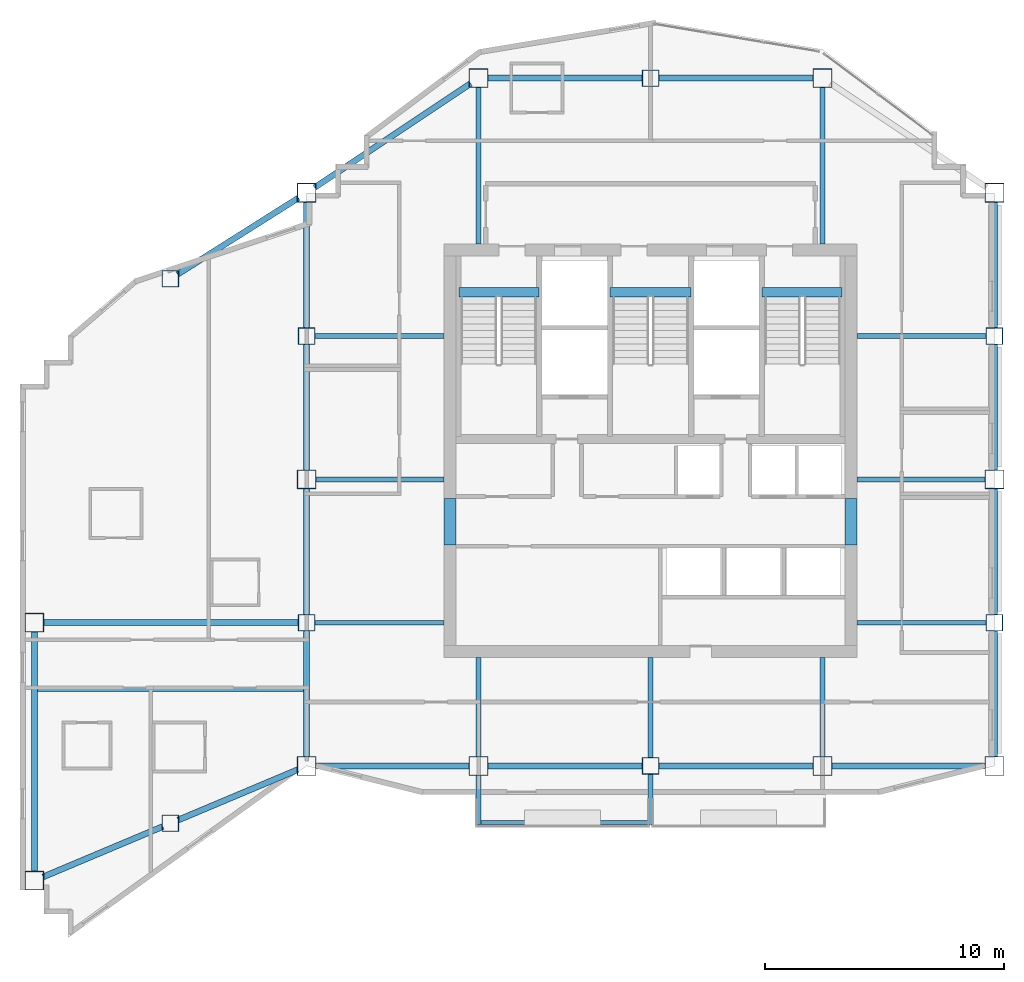
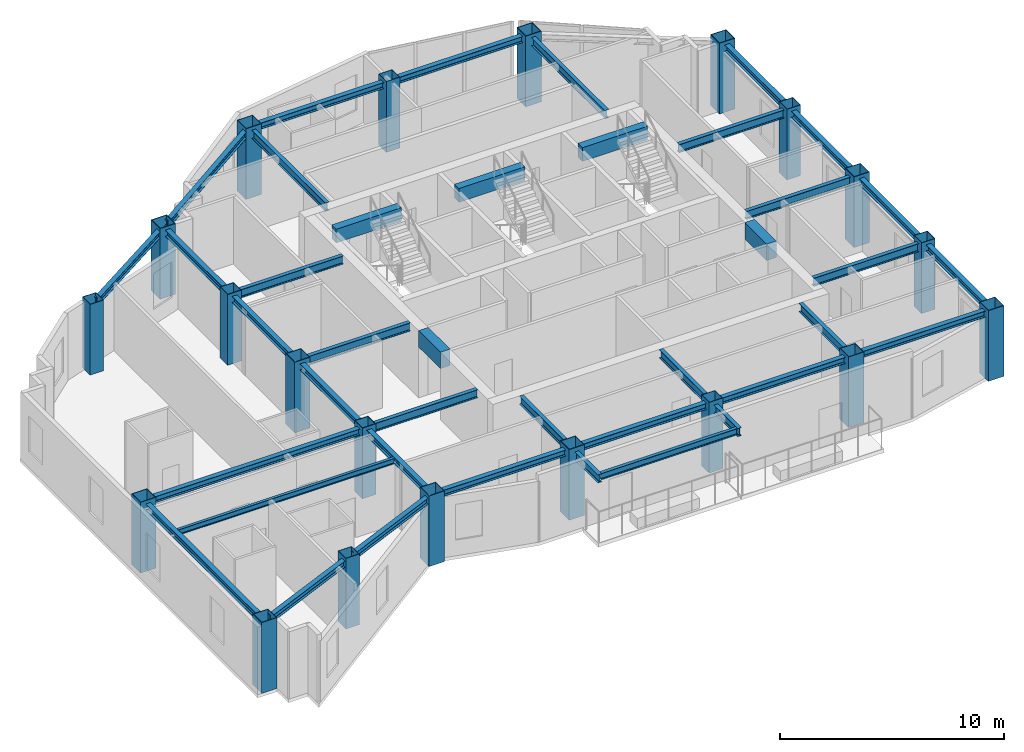
# One storey, part 1 of 9: 40 beams, 20 columns.
"""IFC4 building model written with IfcOpenShell, lengths in metres."""

import ifcopenshell
import ifcopenshell.guid

model = None  # the IFC model being written
_history = None  # IfcOwnerHistory: only IFC2X3 demands one
_inside = {}  # id of a spatial element -> (the spatial element, [elements in it])
_under = {}  # id of a project, library or spatial element -> (it, [spatial elements below it])
_declared = {}  # id of a project -> (the project, [libraries it declares])
_typed = {}  # id of a type object -> (the type object, [elements of that type])
_made_of = {}  # id of a material, layer set ... -> (it, [elements and type objects made of it])


def new_model(schema):
    """Start an empty IFC model of exactly this schema.

    Asked for "IFC4X3", IfcOpenShell would pick the latest addendum, in which some entities
    have other attributes; the version numbers below select the first issue.
    IFC2X3 requires an IfcOwnerHistory on every rooted entity: one is made here for all.
    """
    global model, _history
    if schema == "IFC4X3":
        model = ifcopenshell.file(schema_version=(4, 3, 0, 0))
    else:
        model = ifcopenshell.file(schema=schema)
    _inside.clear()
    _under.clear()
    _declared.clear()
    _typed.clear()
    _made_of.clear()
    _history = None
    if model.schema == "IFC2X3":
        org = make("IfcOrganization", Name="unknown")
        user = make(
            "IfcPersonAndOrganization",
            ThePerson=make("IfcPerson", FamilyName="unknown"),
            TheOrganization=org,
        )
        app = make(
            "IfcApplication",
            ApplicationDeveloper=org,
            Version="unknown",
            ApplicationFullName="unknown",
            ApplicationIdentifier="unknown",
        )
        _history = make(
            "IfcOwnerHistory",
            OwningUser=user,
            OwningApplication=app,
            ChangeAction="ADDED",
            CreationDate=0,
        )
    return model


def make(cls, **values):
    """One entity of the class cls with the attributes given. An attribute that is None is left unset."""
    return model.create_entity(
        cls, **{name: value for name, value in values.items() if value is not None}
    )


def rooted(cls, **values):
    """An entity with a GlobalId (a new one), such as an element, a storey or a relation."""
    return make(cls, GlobalId=ifcopenshell.guid.new(), OwnerHistory=_history, **values)


def si_unit(unit_type, name, prefix=None):
    """IfcSIUnit, for example si_unit("LENGTHUNIT", "METRE", prefix="MILLI")."""
    return make("IfcSIUnit", UnitType=unit_type, Prefix=prefix, Name=name)


def assignment(units):
    """IfcUnitAssignment: the units of a project."""
    return None if units is None else make("IfcUnitAssignment", Units=units)


def point(xyz):
    """IfcCartesianPoint."""
    return None if xyz is None else make("IfcCartesianPoint", Coordinates=xyz)


def direction(xyz):
    """IfcDirection."""
    return None if xyz is None else make("IfcDirection", DirectionRatios=xyz)


def frame(location, z_axis=None, x_axis=None):
    """IfcAxis2Placement3D, a coordinate frame: its origin and axes. An axis left out is left unset."""
    return make(
        "IfcAxis2Placement3D",
        Location=point(location),
        Axis=direction(z_axis),
        RefDirection=direction(x_axis),
    )


def frame_2d(location, x_axis=None):
    """IfcAxis2Placement2D, a coordinate frame in the plane: its origin and x axis."""
    return make(
        "IfcAxis2Placement2D", Location=point(location), RefDirection=direction(x_axis)
    )


def origin():
    """The frame at (0, 0, 0) with its axes left unset."""
    return frame((0.0, 0.0, 0.0))


def origin_2d():
    """The frame at (0, 0) in the plane with its x axis left unset."""
    return frame_2d((0.0, 0.0))


def place(relative_to, where):
    """IfcLocalPlacement: puts the frame where relative to a parent placement (None: the world)."""
    return make(
        "IfcLocalPlacement", PlacementRelTo=relative_to, RelativePlacement=where
    )


def context(
    kind, dimensions, precision=None, world=None, true_north=None, identifier=None
):
    """IfcGeometricRepresentationContext, for example the 3D "Model" context."""
    return make(
        "IfcGeometricRepresentationContext",
        ContextIdentifier=identifier,
        ContextType=kind,
        CoordinateSpaceDimension=dimensions,
        Precision=precision,
        WorldCoordinateSystem=world,
        TrueNorth=true_north,
    )


def subcontext(parent, identifier, kind, view, scale=None):
    """IfcGeometricRepresentationSubContext, for example "Body" below "Model"."""
    return make(
        "IfcGeometricRepresentationSubContext",
        ContextIdentifier=identifier,
        ContextType=kind,
        ParentContext=parent,
        TargetScale=scale,
        TargetView=view,
    )


def project(units=None, contexts=None):
    """IfcProject with its units and contexts."""
    return rooted(
        "IfcProject",
        Name="project",
        RepresentationContexts=contexts,
        UnitsInContext=assignment(units),
    )


def spatial(cls, under=None, at=None, **own):
    """A site, building, storey or space (cls), placed at a placement, below another one or the project."""
    s = rooted(cls, ObjectPlacement=at, **own)
    if under is not None:
        _under.setdefault(under.id(), (under, []))[1].append(s)
    return s


def profile(cls, at=None, kind="AREA", **sizes):
    """A parametric profile (cls). Its sizes go by their IFC names, for example OverallWidth=200.0."""
    return make(cls, ProfileType=kind, Position=at, **sizes)


def rectangle(**sizes):
    """IfcRectangleProfileDef."""
    return profile("IfcRectangleProfileDef", **sizes)


def hollow_rectangle(**sizes):
    """IfcRectangleHollowProfileDef."""
    return profile("IfcRectangleHollowProfileDef", **sizes)


def i_section(**sizes):
    """IfcIShapeProfileDef."""
    return profile("IfcIShapeProfileDef", **sizes)


def extrude(swept, where, along, depth):
    """IfcExtrudedAreaSolid: the profile swept, set in the frame where, extruded along a direction by depth."""
    return make(
        "IfcExtrudedAreaSolid",
        SweptArea=swept,
        Position=where,
        ExtrudedDirection=direction(along),
        Depth=depth,
    )


def shape(context_of_items, identifier, shape_type, items):
    """IfcShapeRepresentation: the items that make up one representation, for example the "Body"."""
    return make(
        "IfcShapeRepresentation",
        ContextOfItems=context_of_items,
        RepresentationIdentifier=identifier,
        RepresentationType=shape_type,
        Items=items,
    )


def material(Name=None, Category=None):
    """IfcMaterial."""
    return make("IfcMaterial", Name=Name, Category=Category)


def material_profile(
    of_material, cross_section, Name=None, Category=None, Priority=None
):
    """IfcMaterialProfile: a cross section and its material."""
    return make(
        "IfcMaterialProfile",
        Name=Name,
        Material=of_material,
        Profile=cross_section,
        Priority=Priority,
        Category=Category,
    )


def profile_set(profiles, Name=None, composite=None):
    """IfcMaterialProfileSet."""
    return make(
        "IfcMaterialProfileSet",
        Name=Name,
        MaterialProfiles=profiles,
        CompositeProfile=composite,
    )


def made_of(thing, what):
    """Note that an element or type object is made of a material, layer set ...; save() writes the relation."""
    if what is not None:
        _made_of.setdefault(what.id(), (what, []))[1].append(thing)
    return thing


def type_object(cls, material=None, **own):
    """A type object (cls), such as IfcWallType, which elements share."""
    return made_of(rooted(cls, **own), material)


def element(
    cls,
    number,
    at=None,
    inside=None,
    cuts=None,
    type_object=None,
    material=None,
    context=None,
    identifier="Body",
    shape_type=None,
    held_by="IfcProductDefinitionShape",
    body=None,
    shapes=None,
    **own,
):
    """One element of the class cls, such as IfcWall. Its Tag is "e" and its number.

    at: its placement. inside: the storey or other place that contains it. cuts: it is an
    opening in that element (IfcRelVoidsElement). A single representation is given by context,
    identifier, shape_type and body (its items); several are given by shapes. held_by: the class
    of the entity that holds the representations. save() writes the other relations.
    """
    e = rooted(cls, Tag="e%d" % number, ObjectPlacement=at, **own)
    if body is not None:
        shapes = [shape(context, identifier, shape_type, body)]
    if shapes is not None:
        e.Representation = make(held_by, Representations=shapes)
    if inside is not None:
        _inside.setdefault(inside.id(), (inside, []))[1].append(e)
    if cuts is not None:
        rooted(
            "IfcRelVoidsElement", RelatingBuildingElement=cuts, RelatedOpeningElement=e
        )
    if type_object is not None:
        _typed.setdefault(type_object.id(), (type_object, []))[1].append(e)
    return made_of(e, material)


def aggregate(whole, parts):
    """IfcRelAggregates: a whole, such as a stair, and the parts it consists of."""
    return rooted("IfcRelAggregates", RelatingObject=whole, RelatedObjects=parts)


def save(model, path):
    """Write the relations noted so far, then the file.

    IfcRelAggregates (storeys below a building ...), IfcRelContainedInSpatialStructure (elements
    in a storey), IfcRelDefinesByType, IfcRelAssociatesMaterial and IfcRelDeclares: one each for
    every whole, place, type object, material and project.
    """
    for whole, parts in _under.values():
        aggregate(whole, parts)
    for where, things in _inside.values():
        rooted(
            "IfcRelContainedInSpatialStructure",
            RelatedElements=things,
            RelatingStructure=where,
        )
    for kind, things in _typed.values():
        rooted("IfcRelDefinesByType", RelatedObjects=things, RelatingType=kind)
    for what, things in _made_of.values():
        rooted("IfcRelAssociatesMaterial", RelatedObjects=things, RelatingMaterial=what)
    for by, libraries in _declared.values():
        rooted("IfcRelDeclares", RelatingContext=by, RelatedDefinitions=libraries)
    model.write(path)


model = new_model("IFC4")

# Units and contexts
model_context = context("Model", 3, precision=1e-05, world=origin(), true_north=direction((0.0, 1.0)))
body_context = subcontext(model_context, "Body", "Model", "MODEL_VIEW")
ifc_project = project(units=[si_unit("LENGTHUNIT", "METRE"), si_unit("AREAUNIT", "SQUARE_METRE"), si_unit("VOLUMEUNIT", "CUBIC_METRE"), si_unit("PLANEANGLEUNIT", "RADIAN"), si_unit("MASSUNIT", "GRAM", prefix="KILO")], contexts=[model_context])

# Site, building, storey
site_placement = place(None, origin())
site = spatial("IfcSite", under=ifc_project, at=site_placement, CompositionType="ELEMENT")
building_placement = place(site_placement, origin())
building = spatial("IfcBuilding", under=site, at=building_placement, Name="Haolan Belvedere Tower", CompositionType="ELEMENT")
storey_placement = place(building_placement, frame((0.0, 0.0, 239.050048828125)))
storey = spatial("IfcBuildingStorey", under=building, at=storey_placement, Name="L60", CompositionType="ELEMENT", Elevation=239.050048828125)

# Columns
ifc_material_1 = material(Name="Steel Q390GJC", Category="steel")
ifc_material_profile_1 = material_profile(ifc_material_1, hollow_rectangle(XDim=0.699951171875, YDim=0.699951171875, WallThickness=0.02587890625, at=origin_2d()), Name="Steel Q390GJC")
ifc_profile_set_1 = profile_set([ifc_material_profile_1], Name="Steel Q390GJC")
column_type_1 = type_object("IfcColumnType", Name="COL-BOX700x700x26", PredefinedType="COLUMN", material=ifc_profile_set_1)
for number, where, z_axis, x_axis, name in (
    (1, (24.0, 27.60009765625, 0.0), (0.0, 0.0, 1.0), (1.0, 0.0, 0.0), "L60 column TC-T3-W1 (BOX700x700x26)"),
    (2, (24.0, 39.60009765625, 0.0), (0.0, 0.0, 1.0), (1.0, 0.0, 0.0), "L60 column TC-T3-W2 (BOX700x700x26)"),
    (3, (52.800048828125, 27.60009765625, 0.0), (0.0, 0.0, 1.0), (1.0, 0.0, 0.0), "L60 column TC-T3-E1 (BOX700x700x26)"),
    (4, (52.800048828125, 39.60009765625, 0.0), (0.0, 0.0, 1.0), (1.0, 0.0, 0.0), "L60 column TC-T3-E2 (BOX700x700x26)"),
    (5, (38.39990234375, 21.60009765625, 0.0), (0.0, 0.0, 1.0), (1.0, 0.0, 0.0), "L60 column TC-T3-SM (BOX700x700x26)"),
    (6, (38.39990234375, 50.39990234375, 0.0), (0.0, 0.0, 1.0), (1.0, 0.0, 0.0), "L60 column TC-T3-NM (BOX700x700x26)"),
    (7, (18.300048828125, 19.199951171875, 0.0), (0.0, 0.0, 1.0), (1.0, 0.0, 0.0), "L60 column TC-T2-S1 (BOX700x700x26)"),
    (8, (18.300048828125, 42.0, 0.0), (0.0, 0.0, 1.0), (1.0, 0.0, 0.0), "L60 column TC-T2-N1 (BOX700x700x26)"),
):
    element("IfcColumn", number, at=place(storey_placement, frame(where, z_axis=z_axis, x_axis=x_axis)), inside=storey, type_object=column_type_1, Name=name, PredefinedType="COLUMN", context=body_context, shape_type="SweptSolid", body=[
        extrude(hollow_rectangle(XDim=0.699951171875, YDim=0.699951171875, WallThickness=0.02587890625, at=origin_2d()), origin(), (0.0, 0.0, 1.0), 3.849853515625),
    ])
ifc_material_profile_2 = material_profile(ifc_material_1, hollow_rectangle(XDim=0.800048828125, YDim=0.800048828125, WallThickness=0.030029296875, at=origin_2d()), Name="Steel Q390GJC")
ifc_profile_set_2 = profile_set([ifc_material_profile_2], Name="Steel Q390GJC")
column_type_2 = type_object("IfcColumnType", Name="COL-BOX800x800x30", PredefinedType="COLUMN", material=ifc_profile_set_2)
for number, where, z_axis, x_axis, name in (
    (9, (24.0, 21.60009765625, 0.0), (0.0, 0.0, 1.0), (1.0, 0.0, 0.0), "L60 column MC-T3-SW (BOX800x800x30)"),
    (10, (24.0, 33.60009765625, 0.0), (0.0, 0.0, 1.0), (1.0, 0.0, 0.0), "L60 column MC-T3-MW (BOX800x800x30)"),
    (11, (24.0, 45.60009765625, 0.0), (0.0, 0.0, 1.0), (1.0, 0.0, 0.0), "L60 column MC-T3-NW (BOX800x800x30)"),
    (12, (52.800048828125, 21.60009765625, 0.0), (0.0, 0.0, 1.0), (1.0, 0.0, 0.0), "L60 column MC-T3-SE (BOX800x800x30)"),
    (13, (52.800048828125, 33.60009765625, 0.0), (0.0, 0.0, 1.0), (1.0, 0.0, 0.0), "L60 column MC-T3-ME (BOX800x800x30)"),
    (14, (52.800048828125, 45.60009765625, 0.0), (0.0, 0.0, 1.0), (1.0, 0.0, 0.0), "L60 column MC-T3-NE (BOX800x800x30)"),
    (15, (31.199951171875, 21.60009765625, 0.0), (0.0, 0.0, 1.0), (1.0, 0.0, 0.0), "L60 column MC-T3-S1 (BOX800x800x30)"),
    (16, (45.60009765625, 21.60009765625, 0.0), (0.0, 0.0, 1.0), (1.0, 0.0, 0.0), "L60 column MC-T3-S2 (BOX800x800x30)"),
    (17, (31.199951171875, 50.39990234375, 0.0), (0.0, 0.0, 1.0), (1.0, 0.0, 0.0), "L60 column MC-T3-N1 (BOX800x800x30)"),
    (18, (45.60009765625, 50.39990234375, 0.0), (0.0, 0.0, 1.0), (1.0, 0.0, 0.0), "L60 column MC-T3-N2 (BOX800x800x30)"),
    (19, (12.60009765625, 16.800048828125, 0.0), (0.0, 0.0, 1.0), (1.0, 0.0, 0.0), "L60 column MC-T2-SW (BOX800x800x30)"),
    (20, (12.60009765625, 27.60009765625, 0.0), (0.0, 0.0, 1.0), (1.0, 0.0, 0.0), "L60 column MC-T2-MW (BOX800x800x30)"),
):
    element("IfcColumn", number, at=place(storey_placement, frame(where, z_axis=z_axis, x_axis=x_axis)), inside=storey, type_object=column_type_2, Name=name, PredefinedType="COLUMN", context=body_context, shape_type="SweptSolid", body=[
        extrude(hollow_rectangle(XDim=0.800048828125, YDim=0.800048828125, WallThickness=0.030029296875, at=origin_2d()), origin(), (0.0, 0.0, 1.0), 3.849853515625),
    ])

# Beams
ifc_material_2 = material(Name="Steel Q355B", Category="steel")
ifc_material_profile_3 = material_profile(ifc_material_2, i_section(OverallWidth=0.25, OverallDepth=0.340087890625, WebThickness=0.009033203125, FlangeThickness=0.013916015625, FilletRadius=0.02001953125, at=origin_2d()), Name="Steel Q355B")
ifc_profile_set_3 = profile_set([ifc_material_profile_3], Name="Steel Q355B")
beam_type_1 = type_object("IfcBeamType", Name="BM-HM340x250x9x14", PredefinedType="SPANDREL", material=ifc_profile_set_3)
for number, where, z_axis, x_axis, name in (
    (21, (24.0, 22.0, 3.5), (0.0, 1.0, 0.0), (-1.0, 0.0, 0.0), "L60 spandrel girder MC-T3-SW-TC-T3-W1"),
    (22, (24.0, 27.949951171875, 3.5), (0.0, 1.0, 0.0), (-1.0, 0.0, 0.0), "L60 spandrel girder TC-T3-W1-MC-T3-MW"),
    (23, (24.0, 34.0, 3.5), (0.0, 1.0, 0.0), (-1.0, 0.0, 0.0), "L60 spandrel girder MC-T3-MW-TC-T3-W2"),
    (24, (24.0, 39.949951171875, 3.5), (0.0, 1.0, 0.0), (-1.0, 0.0, 0.0), "L60 spandrel girder TC-T3-W2-MC-T3-NW"),
    (25, (52.800048828125, 22.0, 3.5), (0.0, 1.0, 0.0), (-1.0, 0.0, 0.0), "L60 spandrel girder MC-T3-SE-TC-T3-E1"),
    (26, (52.800048828125, 27.949951171875, 3.5), (0.0, 1.0, 0.0), (-1.0, 0.0, 0.0), "L60 spandrel girder TC-T3-E1-MC-T3-ME"),
    (27, (52.800048828125, 34.0, 3.5), (0.0, 1.0, 0.0), (-1.0, 0.0, 0.0), "L60 spandrel girder MC-T3-ME-TC-T3-E2"),
    (28, (52.800048828125, 39.949951171875, 3.5), (0.0, 1.0, 0.0), (-1.0, 0.0, 0.0), "L60 spandrel girder TC-T3-E2-MC-T3-NE"),
):
    element("IfcBeam", number, at=place(storey_placement, frame(where, z_axis=z_axis, x_axis=x_axis)), inside=storey, type_object=beam_type_1, Name=name, PredefinedType="SPANDREL", context=body_context, shape_type="SweptSolid", body=[
        extrude(i_section(OverallWidth=0.25, OverallDepth=0.340087890625, WebThickness=0.009033203125, FlangeThickness=0.013916015625, FilletRadius=0.02001953125, at=origin_2d()), origin(), (0.0, 0.0, 1.0), 5.25),
    ])
beam_1_placement = place(storey_placement, frame((24.39990234375, 21.60009765625, 3.5), z_axis=(1.0, 0.0, 0.0), x_axis=(0.0, 1.0, 0.0)))
element("IfcBeam", 29, at=beam_1_placement, inside=storey, type_object=beam_type_1, Name="L60 spandrel girder MC-T3-SW-MC-T3-S1", PredefinedType="SPANDREL", context=body_context, shape_type="SweptSolid", body=[
    extrude(i_section(OverallWidth=0.25, OverallDepth=0.340087890625, WebThickness=0.009033203125, FlangeThickness=0.013916015625, FilletRadius=0.02001953125, at=origin_2d()), origin(), (0.0, 0.0, 1.0), 6.400146484375),
])
for number, where, z_axis, x_axis, name in (
    (30, (31.60009765625, 21.60009765625, 3.5), (1.0, 0.0, 0.0), (0.0, 1.0, 0.0), "L60 spandrel girder MC-T3-S1-TC-T3-SM"),
    (31, (38.75, 21.60009765625, 3.5), (1.0, 0.0, 0.0), (0.0, 1.0, 0.0), "L60 spandrel girder TC-T3-SM-MC-T3-S2"),
):
    element("IfcBeam", number, at=place(storey_placement, frame(where, z_axis=z_axis, x_axis=x_axis)), inside=storey, type_object=beam_type_1, Name=name, PredefinedType="SPANDREL", context=body_context, shape_type="SweptSolid", body=[
        extrude(i_section(OverallWidth=0.25, OverallDepth=0.340087890625, WebThickness=0.009033203125, FlangeThickness=0.013916015625, FilletRadius=0.02001953125, at=origin_2d()), origin(), (0.0, 0.0, 1.0), 6.449951171875),
    ])
beam_2_placement = place(storey_placement, frame((46.0, 21.60009765625, 3.5), z_axis=(1.0, 0.0, 0.0), x_axis=(0.0, 1.0, 0.0)))
element("IfcBeam", 32, at=beam_2_placement, inside=storey, type_object=beam_type_1, Name="L60 spandrel girder MC-T3-S2-MC-T3-SE", PredefinedType="SPANDREL", context=body_context, shape_type="SweptSolid", body=[
    extrude(i_section(OverallWidth=0.25, OverallDepth=0.340087890625, WebThickness=0.009033203125, FlangeThickness=0.013916015625, FilletRadius=0.02001953125, at=origin_2d()), origin(), (0.0, 0.0, 1.0), 6.39990234375),
])
beam_3_placement = place(storey_placement, frame((24.332763671875, 45.82177734375, 3.5), z_axis=(0.832040729016, 0.55471454394, 0.0), x_axis=(-0.55471454394, 0.832040729016, 0.0)))
element("IfcBeam", 33, at=beam_3_placement, inside=storey, type_object=beam_type_1, Name="L60 spandrel girder MC-T3-NW-MC-T3-N1", PredefinedType="SPANDREL", context=body_context, shape_type="SweptSolid", body=[
    extrude(i_section(OverallWidth=0.25, OverallDepth=0.340087890625, WebThickness=0.009033203125, FlangeThickness=0.013916015625, FilletRadius=0.02001953125, at=origin_2d()), origin(), (0.0, 0.0, 1.0), 7.853515625),
])
for number, where, z_axis, x_axis, name in (
    (34, (31.60009765625, 50.39990234375, 3.5), (1.0, 0.0, 0.0), (0.0, 1.0, 0.0), "L60 spandrel girder MC-T3-N1-TC-T3-NM"),
    (35, (38.75, 50.39990234375, 3.5), (1.0, 0.0, 0.0), (0.0, 1.0, 0.0), "L60 spandrel girder TC-T3-NM-MC-T3-N2"),
):
    element("IfcBeam", number, at=place(storey_placement, frame(where, z_axis=z_axis, x_axis=x_axis)), inside=storey, type_object=beam_type_1, Name=name, PredefinedType="SPANDREL", context=body_context, shape_type="SweptSolid", body=[
        extrude(i_section(OverallWidth=0.25, OverallDepth=0.340087890625, WebThickness=0.009033203125, FlangeThickness=0.013916015625, FilletRadius=0.02001953125, at=origin_2d()), origin(), (0.0, 0.0, 1.0), 6.449951171875),
    ])
beam_4_placement = place(storey_placement, frame((12.60009765625, 17.199951171875, 3.5), z_axis=(0.0, 1.0, 0.0), x_axis=(-1.0, 0.0, 0.0)))
element("IfcBeam", 36, at=beam_4_placement, inside=storey, type_object=beam_type_1, Name="L60 spandrel girder MC-T2-SW-MC-T2-MW", PredefinedType="SPANDREL", context=body_context, shape_type="SweptSolid", body=[
    extrude(i_section(OverallWidth=0.25, OverallDepth=0.340087890625, WebThickness=0.009033203125, FlangeThickness=0.013916015625, FilletRadius=0.02001953125, at=origin_2d()), origin(), (0.0, 0.0, 1.0), 10.0),
])
for number, where, z_axis, x_axis, name in (
    (37, (12.96875, 16.955322265625, 3.5), (0.921640448717, 0.388044950088, 0.0), (-0.388044950088, 0.921640448717, 0.0), "L60 spandrel girder MC-T2-SW-TC-T2-S1"),
    (38, (18.62255859375, 19.3359375, 3.5), (0.921640448717, 0.388044950088, 0.0), (-0.388044950088, 0.921640448717, 0.0), "L60 spandrel girder TC-T2-S1-MC-T3-SW"),
):
    element("IfcBeam", number, at=place(storey_placement, frame(where, z_axis=z_axis, x_axis=x_axis)), inside=storey, type_object=beam_type_1, Name=name, PredefinedType="SPANDREL", context=body_context, shape_type="SweptSolid", body=[
        extrude(i_section(OverallWidth=0.25, OverallDepth=0.340087890625, WebThickness=0.009033203125, FlangeThickness=0.013916015625, FilletRadius=0.02001953125, at=origin_2d()), origin(), (0.0, 0.0, 1.0), 5.4345703125),
    ])
beam_5_placement = place(storey_placement, frame((18.595947265625, 42.18701171875, 3.5), z_axis=(0.845493744187, 0.533985326148, 0.0), x_axis=(-0.533985326148, 0.845493744187, 0.0)))
element("IfcBeam", 39, at=beam_5_placement, inside=storey, type_object=beam_type_1, Name="L60 spandrel girder TC-T2-N1-MC-T3-NW", PredefinedType="SPANDREL", context=body_context, shape_type="SweptSolid", body=[
    extrude(i_section(OverallWidth=0.25, OverallDepth=0.340087890625, WebThickness=0.009033203125, FlangeThickness=0.013916015625, FilletRadius=0.02001953125, at=origin_2d()), origin(), (0.0, 0.0, 1.0), 5.99169921875),
])
beam_6_placement = place(storey_placement, frame((13.0, 27.60009765625, 3.5), z_axis=(1.0, 0.0, 0.0), x_axis=(0.0, 1.0, 0.0)))
element("IfcBeam", 40, at=beam_6_placement, inside=storey, type_object=beam_type_1, Name="L60 spandrel girder MC-T2-MW-TC-T3-W1", PredefinedType="SPANDREL", context=body_context, shape_type="SweptSolid", body=[
    extrude(i_section(OverallWidth=0.25, OverallDepth=0.340087890625, WebThickness=0.009033203125, FlangeThickness=0.013916015625, FilletRadius=0.02001953125, at=origin_2d()), origin(), (0.0, 0.0, 1.0), 10.64990234375),
])
ifc_material_profile_4 = material_profile(ifc_material_2, i_section(OverallWidth=0.14990234375, OverallDepth=0.300048828125, WebThickness=0.006591796875, FlangeThickness=0.009033203125, FilletRadius=0.012939453125, at=origin_2d()), Name="Steel Q355B")
ifc_profile_set_4 = profile_set([ifc_material_profile_4], Name="Steel Q355B")
beam_type_2 = type_object("IfcBeamType", Name="BM-HN300x150x6.5x9", PredefinedType="JOIST", material=ifc_profile_set_4)
beam_7_placement = place(storey_placement, frame((12.72509765625, 24.800048828125, 3.52001953125), z_axis=(1.0, 0.0, 0.0), x_axis=(0.0, 1.0, 0.0)))
element("IfcBeam", 41, at=beam_7_placement, inside=storey, type_object=beam_type_2, Name="L60 west wing floor joist 1", PredefinedType="JOIST", context=body_context, shape_type="SweptSolid", body=[
    extrude(i_section(OverallWidth=0.14990234375, OverallDepth=0.300048828125, WebThickness=0.006591796875, FlangeThickness=0.009033203125, FilletRadius=0.012939453125, at=origin_2d()), origin(), (0.0, 0.0, 1.0), 11.14990234375),
])
ifc_material_profile_5 = material_profile(ifc_material_2, i_section(OverallWidth=0.175048828125, OverallDepth=0.35009765625, WebThickness=0.007080078125, FlangeThickness=0.010986328125, FilletRadius=0.012939453125, at=origin_2d()), Name="Steel Q355B")
ifc_profile_set_5 = profile_set([ifc_material_profile_5], Name="Steel Q355B")
beam_type_3 = type_object("IfcBeamType", Name="BM-HN350x175x7x11", PredefinedType="JOIST", material=ifc_profile_set_5)
beam_8_placement = place(storey_placement, frame((31.300048828125, 19.239990234375, 3.445068359375), z_axis=(1.0, 0.0, 0.0), x_axis=(0.0, 1.0, 0.0)))
element("IfcBeam", 42, at=beam_8_placement, inside=storey, type_object=beam_type_3, Name="L61 tree-balcony front trimmer beam 1", PredefinedType="BEAM", context=body_context, shape_type="SweptSolid", body=[
    extrude(i_section(OverallWidth=0.175048828125, OverallDepth=0.35009765625, WebThickness=0.007080078125, FlangeThickness=0.010986328125, FilletRadius=0.012939453125, at=origin_2d()), origin(), (0.0, 0.0, 1.0), 7.0),
])
ifc_material_profile_6 = material_profile(ifc_material_2, i_section(OverallWidth=0.199951171875, OverallDepth=0.449951171875, WebThickness=0.009033203125, FlangeThickness=0.013916015625, FilletRadius=0.01611328125, at=origin_2d()), Name="Steel Q355B")
ifc_profile_set_6 = profile_set([ifc_material_profile_6], Name="Steel Q355B")
beam_type_4 = type_object("IfcBeamType", Name="BM-HN450x200x9x14", PredefinedType="BEAM", material=ifc_profile_set_6)
beam_9_placement = place(storey_placement, frame((24.39990234375, 33.60009765625, 3.445068359375), z_axis=(1.0, 0.0, 0.0), x_axis=(0.0, 1.0, 0.0)))
element("IfcBeam", 43, at=beam_9_placement, inside=storey, type_object=beam_type_4, Name="L60 core tie beam from MC-T3-MW", PredefinedType="BEAM", context=body_context, shape_type="SweptSolid", body=[
    extrude(i_section(OverallWidth=0.199951171875, OverallDepth=0.449951171875, WebThickness=0.009033203125, FlangeThickness=0.013916015625, FilletRadius=0.01611328125, at=origin_2d()), origin(), (0.0, 0.0, 1.0), 5.35009765625),
])
for number, where, z_axis, x_axis, name in (
    (44, (24.35009765625, 27.60009765625, 3.445068359375), (1.0, 0.0, 0.0), (0.0, 1.0, 0.0), "L60 core tie beam from TC-T3-W1"),
    (45, (24.35009765625, 39.60009765625, 3.445068359375), (1.0, 0.0, 0.0), (0.0, 1.0, 0.0), "L60 core tie beam from TC-T3-W2"),
):
    element("IfcBeam", number, at=place(storey_placement, frame(where, z_axis=z_axis, x_axis=x_axis)), inside=storey, type_object=beam_type_4, Name=name, PredefinedType="BEAM", context=body_context, shape_type="SweptSolid", body=[
        extrude(i_section(OverallWidth=0.199951171875, OverallDepth=0.449951171875, WebThickness=0.009033203125, FlangeThickness=0.013916015625, FilletRadius=0.01611328125, at=origin_2d()), origin(), (0.0, 0.0, 1.0), 5.39990234375),
    ])
beam_10_placement = place(storey_placement, frame((52.39990234375, 33.60009765625, 3.445068359375), z_axis=(-1.0, 0.0, 0.0), x_axis=(0.0, -1.0, 0.0)))
element("IfcBeam", 46, at=beam_10_placement, inside=storey, type_object=beam_type_4, Name="L60 core tie beam from MC-T3-ME", PredefinedType="BEAM", context=body_context, shape_type="SweptSolid", body=[
    extrude(i_section(OverallWidth=0.199951171875, OverallDepth=0.449951171875, WebThickness=0.009033203125, FlangeThickness=0.013916015625, FilletRadius=0.01611328125, at=origin_2d()), origin(), (0.0, 0.0, 1.0), 5.349853515625),
])
for number, where, z_axis, x_axis, name in (
    (47, (52.449951171875, 27.60009765625, 3.445068359375), (-1.0, 0.0, 0.0), (0.0, -1.0, 0.0), "L60 core tie beam from TC-T3-E1"),
    (48, (52.449951171875, 39.60009765625, 3.445068359375), (-1.0, 0.0, 0.0), (0.0, -1.0, 0.0), "L60 core tie beam from TC-T3-E2"),
):
    element("IfcBeam", number, at=place(storey_placement, frame(where, z_axis=z_axis, x_axis=x_axis)), inside=storey, type_object=beam_type_4, Name=name, PredefinedType="BEAM", context=body_context, shape_type="SweptSolid", body=[
        extrude(i_section(OverallWidth=0.199951171875, OverallDepth=0.449951171875, WebThickness=0.009033203125, FlangeThickness=0.013916015625, FilletRadius=0.01611328125, at=origin_2d()), origin(), (0.0, 0.0, 1.0), 5.39990234375),
    ])
beam_11_placement = place(storey_placement, frame((31.199951171875, 22.0, 3.445068359375), z_axis=(0.0, 1.0, 0.0), x_axis=(-1.0, 0.0, 0.0)))
element("IfcBeam", 49, at=beam_11_placement, inside=storey, type_object=beam_type_4, Name="L60 core tie beam from MC-T3-S1", PredefinedType="BEAM", context=body_context, shape_type="SweptSolid", body=[
    extrude(i_section(OverallWidth=0.199951171875, OverallDepth=0.449951171875, WebThickness=0.009033203125, FlangeThickness=0.013916015625, FilletRadius=0.01611328125, at=origin_2d()), origin(), (0.0, 0.0, 1.0), 4.14990234375),
])
beam_12_placement = place(storey_placement, frame((38.39990234375, 21.949951171875, 3.445068359375), z_axis=(0.0, 1.0, 0.0), x_axis=(-1.0, 0.0, 0.0)))
element("IfcBeam", 50, at=beam_12_placement, inside=storey, type_object=beam_type_4, Name="L60 core tie beam from TC-T3-SM", PredefinedType="BEAM", context=body_context, shape_type="SweptSolid", body=[
    extrude(i_section(OverallWidth=0.199951171875, OverallDepth=0.449951171875, WebThickness=0.009033203125, FlangeThickness=0.013916015625, FilletRadius=0.01611328125, at=origin_2d()), origin(), (0.0, 0.0, 1.0), 4.199951171875),
])
beam_13_placement = place(storey_placement, frame((45.60009765625, 22.0, 3.445068359375), z_axis=(0.0, 1.0, 0.0), x_axis=(-1.0, 0.0, 0.0)))
element("IfcBeam", 51, at=beam_13_placement, inside=storey, type_object=beam_type_4, Name="L60 core tie beam from MC-T3-S2", PredefinedType="BEAM", context=body_context, shape_type="SweptSolid", body=[
    extrude(i_section(OverallWidth=0.199951171875, OverallDepth=0.449951171875, WebThickness=0.009033203125, FlangeThickness=0.013916015625, FilletRadius=0.01611328125, at=origin_2d()), origin(), (0.0, 0.0, 1.0), 4.14990234375),
])
for number, where, z_axis, x_axis, name in (
    (52, (31.199951171875, 50.0, 3.445068359375), (0.0, -1.0, 0.0), (1.0, 0.0, 0.0), "L60 core tie beam from MC-T3-N1"),
    (53, (45.60009765625, 50.0, 3.445068359375), (0.0, -1.0, 0.0), (1.0, 0.0, 0.0), "L60 core tie beam from MC-T3-N2"),
):
    element("IfcBeam", number, at=place(storey_placement, frame(where, z_axis=z_axis, x_axis=x_axis)), inside=storey, type_object=beam_type_4, Name=name, PredefinedType="BEAM", context=body_context, shape_type="SweptSolid", body=[
        extrude(i_section(OverallWidth=0.199951171875, OverallDepth=0.449951171875, WebThickness=0.009033203125, FlangeThickness=0.013916015625, FilletRadius=0.01611328125, at=origin_2d()), origin(), (0.0, 0.0, 1.0), 6.550048828125),
    ])
beam_14_placement = place(storey_placement, frame((31.199951171875, 21.199951171875, 3.39501953125), z_axis=(0.0, -1.0, 0.0), x_axis=(1.0, 0.0, 0.0)))
element("IfcBeam", 54, at=beam_14_placement, inside=storey, type_object=beam_type_4, Name="L61 tree-balcony column cantilever MC-T3-S1", PredefinedType="BEAM", context=body_context, shape_type="SweptSolid", body=[
    extrude(i_section(OverallWidth=0.199951171875, OverallDepth=0.449951171875, WebThickness=0.009033203125, FlangeThickness=0.013916015625, FilletRadius=0.01611328125, at=origin_2d()), origin(), (0.0, 0.0, 1.0), 2.06005859375),
])
beam_15_placement = place(storey_placement, frame((38.39990234375, 21.25, 3.39501953125), z_axis=(0.0, -1.0, 0.0), x_axis=(1.0, 0.0, 0.0)))
element("IfcBeam", 55, at=beam_15_placement, inside=storey, type_object=beam_type_4, Name="L61 tree-balcony column cantilever TC-T3-SM", PredefinedType="BEAM", context=body_context, shape_type="SweptSolid", body=[
    extrude(i_section(OverallWidth=0.199951171875, OverallDepth=0.449951171875, WebThickness=0.009033203125, FlangeThickness=0.013916015625, FilletRadius=0.01611328125, at=origin_2d()), origin(), (0.0, 0.0, 1.0), 2.110107421875),
])
ifc_material_3 = material(Name="Concrete C50/60", Category="concrete")
ifc_material_profile_7 = material_profile(ifc_material_3, rectangle(XDim=0.39990234375, YDim=0.75, at=origin_2d()), Name="Concrete C50/60")
ifc_profile_set_7 = profile_set([ifc_material_profile_7], Name="Concrete C50/60")
beam_type_5 = type_object("IfcBeamType", Name="BM-RC400x750", PredefinedType="T_BEAM", material=ifc_profile_set_7)
beam_16_placement = place(storey_placement, frame((30.3798828125, 41.429931640625, 3.474853515625), z_axis=(1.0, 0.0, 0.0), x_axis=(0.0, 1.0, 0.0)))
element("IfcBeam", 56, at=beam_16_placement, inside=storey, type_object=beam_type_5, Name="L61 stair ST1 RC header trimmer beam", PredefinedType="BEAM", context=body_context, shape_type="SweptSolid", body=[
    extrude(rectangle(XDim=0.39990234375, YDim=0.75, at=origin_2d()), origin(), (0.0, 0.0, 1.0), 3.360107421875),
])
beam_17_placement = place(storey_placement, frame((36.699951171875, 41.429931640625, 3.474853515625), z_axis=(1.0, 0.0, 0.0), x_axis=(0.0, 1.0, 0.0)))
element("IfcBeam", 57, at=beam_17_placement, inside=storey, type_object=beam_type_5, Name="L61 stair ST3 RC header trimmer beam", PredefinedType="BEAM", context=body_context, shape_type="SweptSolid", body=[
    extrude(rectangle(XDim=0.39990234375, YDim=0.75, at=origin_2d()), origin(), (0.0, 0.0, 1.0), 3.400146484375),
])
beam_18_placement = place(storey_placement, frame((43.06005859375, 41.429931640625, 3.474853515625), z_axis=(1.0, 0.0, 0.0), x_axis=(0.0, 1.0, 0.0)))
element("IfcBeam", 58, at=beam_18_placement, inside=storey, type_object=beam_type_5, Name="L61 stair ST2 RC header trimmer beam", PredefinedType="BEAM", context=body_context, shape_type="SweptSolid", body=[
    extrude(rectangle(XDim=0.39990234375, YDim=0.75, at=origin_2d()), origin(), (0.0, 0.0, 1.0), 3.35986328125),
])
ifc_material_4 = material(Name="Concrete C60/75", Category="concrete")
ifc_material_profile_8 = material_profile(ifc_material_4, rectangle(XDim=0.5, YDim=0.89990234375, at=origin_2d()), Name="Concrete C60/75")
ifc_profile_set_8 = profile_set([ifc_material_profile_8], Name="Concrete C60/75")
beam_type_6 = type_object("IfcBeamType", Name="BM-RC500x900", PredefinedType="LINTEL", material=ifc_profile_set_8)
for number, where, z_axis, x_axis, name in (
    (59, (30.0, 30.85009765625, 3.219970703125), (0.0, 1.0, 0.0), (-1.0, 0.0, 0.0), "L60 west core coupling beam CB-01"),
    (60, (46.800048828125, 30.85009765625, 3.219970703125), (0.0, 1.0, 0.0), (-1.0, 0.0, 0.0), "L60 east core coupling beam CB-01"),
):
    element("IfcBeam", number, at=place(storey_placement, frame(where, z_axis=z_axis, x_axis=x_axis)), inside=storey, type_object=beam_type_6, Name=name, PredefinedType="LINTEL", context=body_context, shape_type="SweptSolid", body=[
        extrude(rectangle(XDim=0.5, YDim=0.89990234375, at=origin_2d()), origin(), (0.0, 0.0, 1.0), 1.949951171875),
    ])

save(model, "model.ifc")
